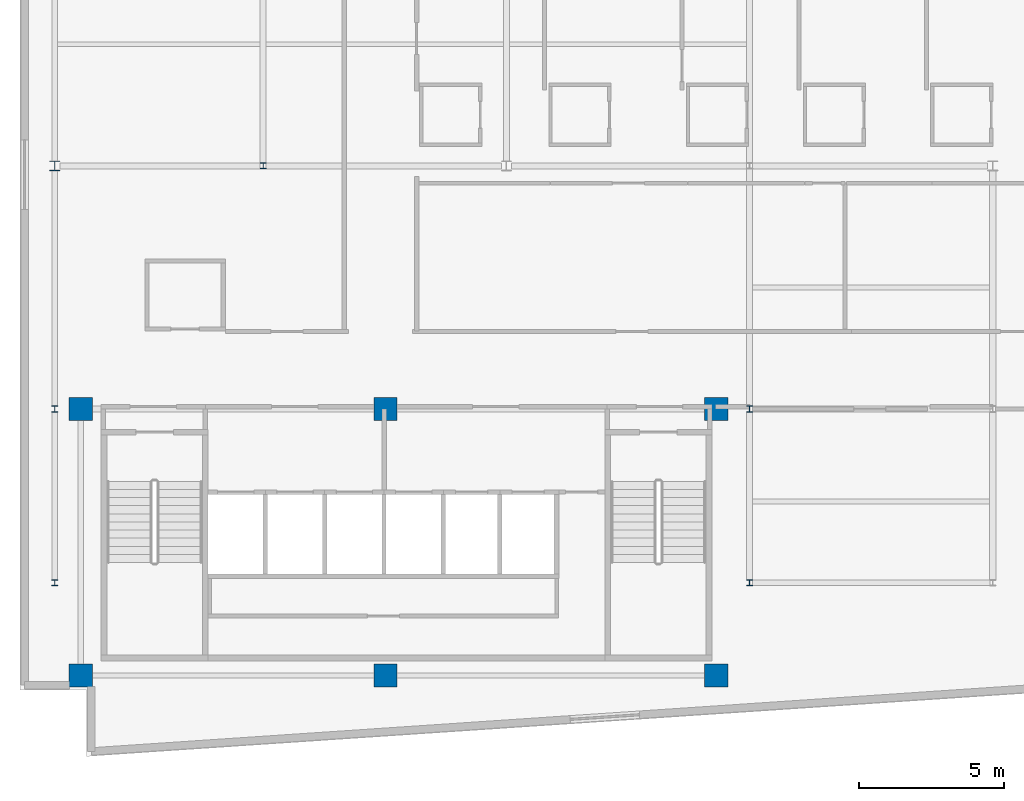
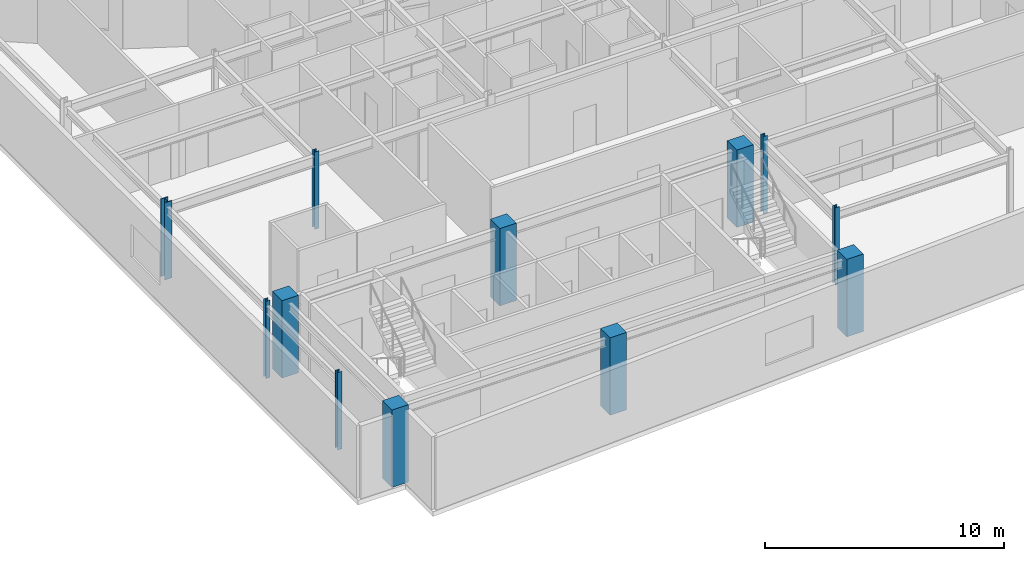
# One storey, part 1 of 16: 12 columns.
"""IFC4 building model written with IfcOpenShell, lengths in metres."""

from ifc_helpers import new_model, si_unit, direction, frame, origin, origin_2d, place, context, subcontext, project, spatial, rectangle, i_section, extrude, material, material_profile, profile_set, type_object, element, save


model = new_model("IFC4")

# Units and contexts
model_context = context("Model", 3, precision=1e-05, world=origin(), true_north=direction((0.0, 1.0)))
body_context = subcontext(model_context, "Body", "Model", "MODEL_VIEW")
ifc_project = project(units=[si_unit("LENGTHUNIT", "METRE"), si_unit("AREAUNIT", "SQUARE_METRE"), si_unit("VOLUMEUNIT", "CUBIC_METRE"), si_unit("PLANEANGLEUNIT", "RADIAN"), si_unit("MASSUNIT", "GRAM", prefix="KILO")], contexts=[model_context])

# Site, building, storey
site_placement = place(None, origin())
site = spatial("IfcSite", under=ifc_project, at=site_placement, CompositionType="ELEMENT")
building_placement = place(site_placement, origin())
building = spatial("IfcBuilding", under=site, at=building_placement, Name="Varnakote Quay Hospital", CompositionType="ELEMENT")
storey_placement = place(building_placement, frame((0.0, 0.0, 292.10009765625)))
storey = spatial("IfcBuildingStorey", under=building, at=storey_placement, Name="L72", CompositionType="ELEMENT", Elevation=292.10009765625)

# Columns
ifc_material_1 = material(Name="Concrete N50 (f'c 50 MPa)", Category="concrete")
ifc_material_profile_1 = material_profile(ifc_material_1, rectangle(XDim=0.800048828125, YDim=0.800048828125, at=origin_2d()), Name="RC-COL-800x800")
ifc_profile_set_1 = profile_set([ifc_material_profile_1], Name="Concrete N50 (f'c 50 MPa)")
column_type_1 = type_object("IfcColumnType", Name="COL-RC-800", PredefinedType="COLUMN", material=ifc_profile_set_1)
for number, where, z_axis, x_axis, name in (
    (1, (2.10009765625, 2.800048828125, 0.0), (0.0, 0.0, 1.0), (1.0, 0.0, 0.0), "L72 Structural Column C-2-3"),
    (2, (12.6201171875, 2.800048828125, 0.0), (0.0, 0.0, 1.0), (1.0, 0.0, 0.0), "L72 Structural Column C-13-3"),
    (3, (24.050048828125, 2.800048828125, 0.0), (0.0, 0.0, 1.0), (1.0, 0.0, 0.0), "L72 Structural Column C-24-3"),
    (4, (2.10009765625, 12.0, 0.0), (0.0, 0.0, 1.0), (1.0, 0.0, 0.0), "L72 Structural Column C-2-12"),
    (5, (12.6201171875, 12.0, 0.0), (0.0, 0.0, 1.0), (1.0, 0.0, 0.0), "L72 Structural Column C-13-12"),
    (6, (24.050048828125, 12.0, 0.0), (0.0, 0.0, 1.0), (1.0, 0.0, 0.0), "L72 Structural Column C-24-12"),
):
    element("IfcColumn", number, at=place(storey_placement, frame(where, z_axis=z_axis, x_axis=x_axis)), inside=storey, type_object=column_type_1, Name=name, PredefinedType="COLUMN", context=body_context, shape_type="SweptSolid", body=[
        extrude(rectangle(XDim=0.800048828125, YDim=0.800048828125, at=origin_2d()), origin(), (0.0, 0.0, 1.0), 3.949951171875),
    ])
ifc_material_2 = material(Name="Structural steel AS/NZS 3679.1 Grade 350 L0 (fy 340 MPa)", Category="steel")
ifc_material_profile_2 = material_profile(ifc_material_2, i_section(OverallWidth=0.205078125, OverallDepth=0.2099609375, WebThickness=0.00927734375, FlangeThickness=0.01416015625, FilletRadius=0.011474609375, at=origin_2d()), Name="200UC59.5")
ifc_profile_set_2 = profile_set([ifc_material_profile_2], Name="Structural steel AS/NZS 3679.1 Grade 350 L0 (fy 340 MPa)")
column_type_2 = type_object("IfcColumnType", Name="COL-STL-200UC59-5", PredefinedType="COLUMN", material=ifc_profile_set_2)
for number, where, z_axis, x_axis, name in (
    (7, (1.199951171875, 6.0, 0.0), (0.0, 0.0, 1.0), (1.0, 0.0, 0.0), "L72 Structural Column C-1-6"),
    (8, (25.199951171875, 6.0, 0.0), (0.0, 0.0, 1.0), (1.0, 0.0, 0.0), "L72 Structural Column C-25-6"),
    (9, (1.199951171875, 12.0, 0.0), (0.0, 0.0, 1.0), (1.0, 0.0, 0.0), "L72 Structural Column C-1-12"),
    (10, (25.199951171875, 12.0, 0.0), (0.0, 0.0, 1.0), (1.0, 0.0, 0.0), "L72 Structural Column C-25-12"),
    (11, (8.39990234375, 20.39990234375, 0.0), (0.0, 0.0, 1.0), (1.0, 0.0, 0.0), "L72 Structural Column C-8-20"),
):
    element("IfcColumn", number, at=place(storey_placement, frame(where, z_axis=z_axis, x_axis=x_axis)), inside=storey, type_object=column_type_2, Name=name, PredefinedType="COLUMN", context=body_context, shape_type="SweptSolid", body=[
        extrude(i_section(OverallWidth=0.205078125, OverallDepth=0.2099609375, WebThickness=0.00927734375, FlangeThickness=0.01416015625, FilletRadius=0.011474609375, at=origin_2d()), origin(), (0.0, 0.0, 1.0), 3.949951171875),
    ])
ifc_material_3 = material(Name="Structural steel AS/NZS 3678 Grade 350 (fy 340 MPa)", Category="steel")
ifc_material_profile_3 = material_profile(ifc_material_3, i_section(OverallWidth=0.35009765625, OverallDepth=0.340087890625, WebThickness=0.01611328125, FlangeThickness=0.028076171875, at=origin_2d()), Name="350WC197")
ifc_profile_set_3 = profile_set([ifc_material_profile_3], Name="Structural steel AS/NZS 3678 Grade 350 (fy 340 MPa)")
column_type_3 = type_object("IfcColumnType", Name="COL-STL-350WC197", PredefinedType="COLUMN", material=ifc_profile_set_3)
column_placement = place(storey_placement, frame((1.199951171875, 20.39990234375, 0.0), z_axis=(0.0, 0.0, 1.0), x_axis=(1.0, 0.0, 0.0)))
element("IfcColumn", 12, at=column_placement, inside=storey, type_object=column_type_3, Name="L72 Structural Column C-1-20", PredefinedType="COLUMN", context=body_context, shape_type="SweptSolid", body=[
    extrude(i_section(OverallWidth=0.35009765625, OverallDepth=0.340087890625, WebThickness=0.01611328125, FlangeThickness=0.028076171875, at=origin_2d()), origin(), (0.0, 0.0, 1.0), 3.949951171875),
])

save(model, "model.ifc")
